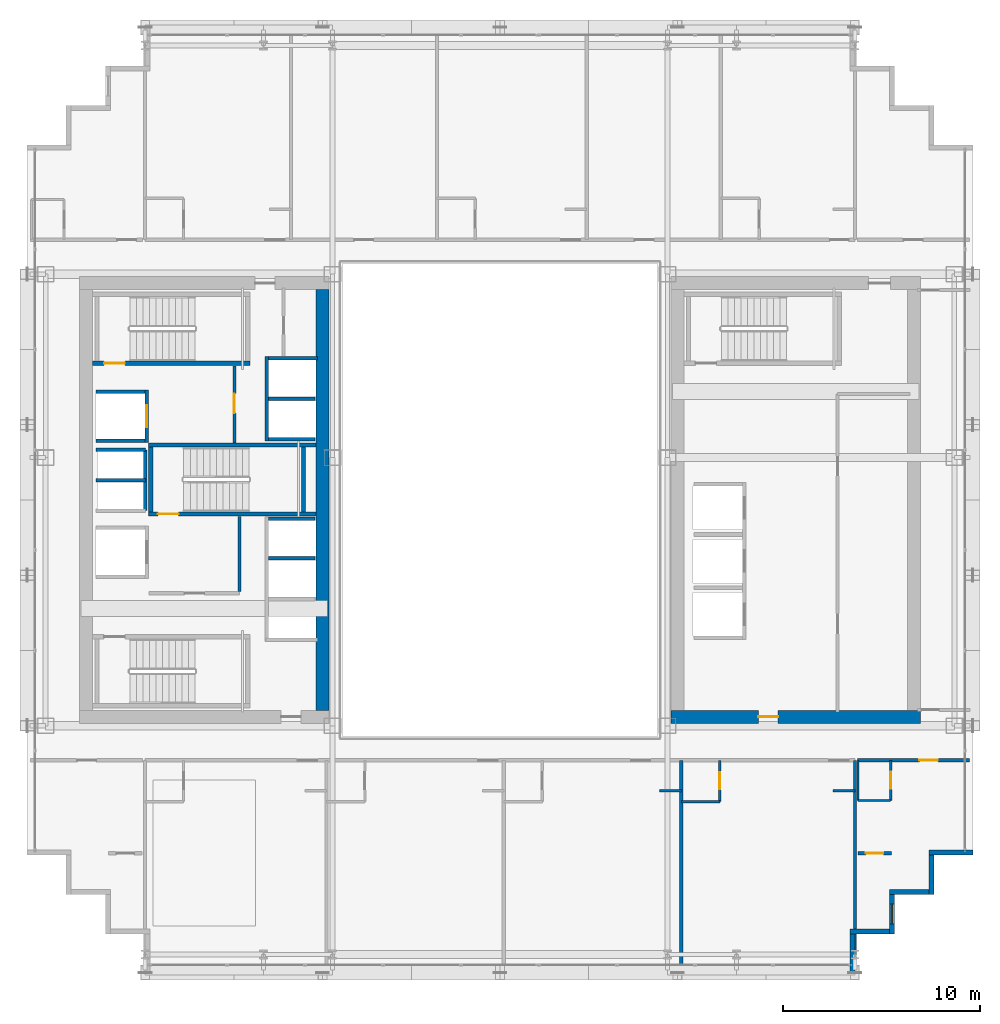
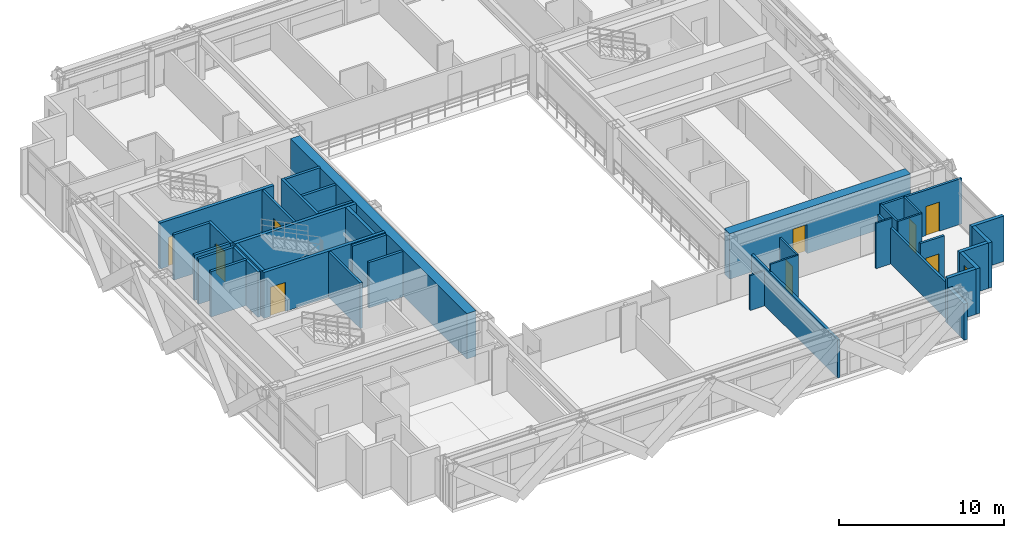
# One storey, part 28 of 34: 38 walls, 9 doors, 1 window, 10 openings.
"""IFC4 building model written with IfcOpenShell, lengths in metres."""

import ifcopenshell
import ifcopenshell.guid

model = None  # the IFC model being written
_history = None  # IfcOwnerHistory: only IFC2X3 demands one
_inside = {}  # id of a spatial element -> (the spatial element, [elements in it])
_under = {}  # id of a project, library or spatial element -> (it, [spatial elements below it])
_declared = {}  # id of a project -> (the project, [libraries it declares])
_typed = {}  # id of a type object -> (the type object, [elements of that type])
_made_of = {}  # id of a material, layer set ... -> (it, [elements and type objects made of it])


def new_model(schema):
    """Start an empty IFC model of exactly this schema.

    Asked for "IFC4X3", IfcOpenShell would pick the latest addendum, in which some entities
    have other attributes; the version numbers below select the first issue.
    IFC2X3 requires an IfcOwnerHistory on every rooted entity: one is made here for all.
    """
    global model, _history
    if schema == "IFC4X3":
        model = ifcopenshell.file(schema_version=(4, 3, 0, 0))
    else:
        model = ifcopenshell.file(schema=schema)
    _inside.clear()
    _under.clear()
    _declared.clear()
    _typed.clear()
    _made_of.clear()
    _history = None
    if model.schema == "IFC2X3":
        org = make("IfcOrganization", Name="unknown")
        user = make(
            "IfcPersonAndOrganization",
            ThePerson=make("IfcPerson", FamilyName="unknown"),
            TheOrganization=org,
        )
        app = make(
            "IfcApplication",
            ApplicationDeveloper=org,
            Version="unknown",
            ApplicationFullName="unknown",
            ApplicationIdentifier="unknown",
        )
        _history = make(
            "IfcOwnerHistory",
            OwningUser=user,
            OwningApplication=app,
            ChangeAction="ADDED",
            CreationDate=0,
        )
    return model


def make(cls, **values):
    """One entity of the class cls with the attributes given. An attribute that is None is left unset."""
    return model.create_entity(
        cls, **{name: value for name, value in values.items() if value is not None}
    )


def rooted(cls, **values):
    """An entity with a GlobalId (a new one), such as an element, a storey or a relation."""
    return make(cls, GlobalId=ifcopenshell.guid.new(), OwnerHistory=_history, **values)


def si_unit(unit_type, name, prefix=None):
    """IfcSIUnit, for example si_unit("LENGTHUNIT", "METRE", prefix="MILLI")."""
    return make("IfcSIUnit", UnitType=unit_type, Prefix=prefix, Name=name)


def assignment(units):
    """IfcUnitAssignment: the units of a project."""
    return None if units is None else make("IfcUnitAssignment", Units=units)


def point(xyz):
    """IfcCartesianPoint."""
    return None if xyz is None else make("IfcCartesianPoint", Coordinates=xyz)


def direction(xyz):
    """IfcDirection."""
    return None if xyz is None else make("IfcDirection", DirectionRatios=xyz)


def frame(location, z_axis=None, x_axis=None):
    """IfcAxis2Placement3D, a coordinate frame: its origin and axes. An axis left out is left unset."""
    return make(
        "IfcAxis2Placement3D",
        Location=point(location),
        Axis=direction(z_axis),
        RefDirection=direction(x_axis),
    )


def frame_2d(location, x_axis=None):
    """IfcAxis2Placement2D, a coordinate frame in the plane: its origin and x axis."""
    return make(
        "IfcAxis2Placement2D", Location=point(location), RefDirection=direction(x_axis)
    )


def origin():
    """The frame at (0, 0, 0) with its axes left unset."""
    return frame((0.0, 0.0, 0.0))


def place(relative_to, where):
    """IfcLocalPlacement: puts the frame where relative to a parent placement (None: the world)."""
    return make(
        "IfcLocalPlacement", PlacementRelTo=relative_to, RelativePlacement=where
    )


def context(
    kind, dimensions, precision=None, world=None, true_north=None, identifier=None
):
    """IfcGeometricRepresentationContext, for example the 3D "Model" context."""
    return make(
        "IfcGeometricRepresentationContext",
        ContextIdentifier=identifier,
        ContextType=kind,
        CoordinateSpaceDimension=dimensions,
        Precision=precision,
        WorldCoordinateSystem=world,
        TrueNorth=true_north,
    )


def subcontext(parent, identifier, kind, view, scale=None):
    """IfcGeometricRepresentationSubContext, for example "Body" below "Model"."""
    return make(
        "IfcGeometricRepresentationSubContext",
        ContextIdentifier=identifier,
        ContextType=kind,
        ParentContext=parent,
        TargetScale=scale,
        TargetView=view,
    )


def project(units=None, contexts=None):
    """IfcProject with its units and contexts."""
    return rooted(
        "IfcProject",
        Name="project",
        RepresentationContexts=contexts,
        UnitsInContext=assignment(units),
    )


def spatial(cls, under=None, at=None, **own):
    """A site, building, storey or space (cls), placed at a placement, below another one or the project."""
    s = rooted(cls, ObjectPlacement=at, **own)
    if under is not None:
        _under.setdefault(under.id(), (under, []))[1].append(s)
    return s


def profile(cls, at=None, kind="AREA", **sizes):
    """A parametric profile (cls). Its sizes go by their IFC names, for example OverallWidth=200.0."""
    return make(cls, ProfileType=kind, Position=at, **sizes)


def rectangle(**sizes):
    """IfcRectangleProfileDef."""
    return profile("IfcRectangleProfileDef", **sizes)


def extrude(swept, where, along, depth):
    """IfcExtrudedAreaSolid: the profile swept, set in the frame where, extruded along a direction by depth."""
    return make(
        "IfcExtrudedAreaSolid",
        SweptArea=swept,
        Position=where,
        ExtrudedDirection=direction(along),
        Depth=depth,
    )


def shape(context_of_items, identifier, shape_type, items):
    """IfcShapeRepresentation: the items that make up one representation, for example the "Body"."""
    return make(
        "IfcShapeRepresentation",
        ContextOfItems=context_of_items,
        RepresentationIdentifier=identifier,
        RepresentationType=shape_type,
        Items=items,
    )


def source(mapping_origin, context_of_items, identifier, shape_type, items):
    """IfcRepresentationMap: a shape defined once, which mapped items show again and again."""
    return make(
        "IfcRepresentationMap",
        MappingOrigin=mapping_origin,
        MappedRepresentation=shape(context_of_items, identifier, shape_type, items),
    )


def transform(
    local_origin,
    x_axis=None,
    y_axis=None,
    z_axis=None,
    scale=None,
    scale2=None,
    scale3=None,
    uniform=True,
):
    """IfcCartesianTransformationOperator3D, or its non-uniform kind. x_axis, y_axis, z_axis: its Axis1, 2, 3."""
    if uniform:
        return make(
            "IfcCartesianTransformationOperator3D",
            Axis1=direction(x_axis),
            Axis2=direction(y_axis),
            LocalOrigin=point(local_origin),
            Scale=scale,
            Axis3=direction(z_axis),
        )
    return make(
        "IfcCartesianTransformationOperator3DnonUniform",
        Axis1=direction(x_axis),
        Axis2=direction(y_axis),
        LocalOrigin=point(local_origin),
        Scale=scale,
        Axis3=direction(z_axis),
        Scale2=scale2,
        Scale3=scale3,
    )


def mapped(mapping_source, mapping_target):
    """IfcMappedItem: shows the shape of a source again, moved by a transform."""
    return make(
        "IfcMappedItem", MappingSource=mapping_source, MappingTarget=mapping_target
    )


def material(Name=None, Category=None):
    """IfcMaterial."""
    return make("IfcMaterial", Name=Name, Category=Category)


def layer(
    of_material, thickness, ventilated=None, Name=None, Category=None, Priority=None
):
    """IfcMaterialLayer: one layer of a wall or slab, of a material (None: an air gap)."""
    return make(
        "IfcMaterialLayer",
        Material=of_material,
        LayerThickness=thickness,
        IsVentilated=ventilated,
        Name=Name,
        Category=Category,
        Priority=Priority,
    )


def layer_set(layers, Name=None):
    """IfcMaterialLayerSet."""
    return make("IfcMaterialLayerSet", MaterialLayers=layers, LayerSetName=Name)


def made_of(thing, what):
    """Note that an element or type object is made of a material, layer set ...; save() writes the relation."""
    if what is not None:
        _made_of.setdefault(what.id(), (what, []))[1].append(thing)
    return thing


def type_object(cls, material=None, **own):
    """A type object (cls), such as IfcWallType, which elements share."""
    return made_of(rooted(cls, **own), material)


def element(
    cls,
    number,
    at=None,
    inside=None,
    cuts=None,
    type_object=None,
    material=None,
    context=None,
    identifier="Body",
    shape_type=None,
    held_by="IfcProductDefinitionShape",
    body=None,
    shapes=None,
    **own,
):
    """One element of the class cls, such as IfcWall. Its Tag is "e" and its number.

    at: its placement. inside: the storey or other place that contains it. cuts: it is an
    opening in that element (IfcRelVoidsElement). A single representation is given by context,
    identifier, shape_type and body (its items); several are given by shapes. held_by: the class
    of the entity that holds the representations. save() writes the other relations.
    """
    e = rooted(cls, Tag="e%d" % number, ObjectPlacement=at, **own)
    if body is not None:
        shapes = [shape(context, identifier, shape_type, body)]
    if shapes is not None:
        e.Representation = make(held_by, Representations=shapes)
    if inside is not None:
        _inside.setdefault(inside.id(), (inside, []))[1].append(e)
    if cuts is not None:
        rooted(
            "IfcRelVoidsElement", RelatingBuildingElement=cuts, RelatedOpeningElement=e
        )
    if type_object is not None:
        _typed.setdefault(type_object.id(), (type_object, []))[1].append(e)
    return made_of(e, material)


def fill(opening, filler):
    """IfcRelFillsElement: the door or window that sits in an opening."""
    return rooted(
        "IfcRelFillsElement",
        RelatingOpeningElement=opening,
        RelatedBuildingElement=filler,
    )


def aggregate(whole, parts):
    """IfcRelAggregates: a whole, such as a stair, and the parts it consists of."""
    return rooted("IfcRelAggregates", RelatingObject=whole, RelatedObjects=parts)


def save(model, path):
    """Write the relations noted so far, then the file.

    IfcRelAggregates (storeys below a building ...), IfcRelContainedInSpatialStructure (elements
    in a storey), IfcRelDefinesByType, IfcRelAssociatesMaterial and IfcRelDeclares: one each for
    every whole, place, type object, material and project.
    """
    for whole, parts in _under.values():
        aggregate(whole, parts)
    for where, things in _inside.values():
        rooted(
            "IfcRelContainedInSpatialStructure",
            RelatedElements=things,
            RelatingStructure=where,
        )
    for kind, things in _typed.values():
        rooted("IfcRelDefinesByType", RelatedObjects=things, RelatingType=kind)
    for what, things in _made_of.values():
        rooted("IfcRelAssociatesMaterial", RelatedObjects=things, RelatingMaterial=what)
    for by, libraries in _declared.values():
        rooted("IfcRelDeclares", RelatingContext=by, RelatedDefinitions=libraries)
    model.write(path)


model = new_model("IFC4")

# Units and contexts
model_context = context("Model", 3, precision=1e-05, world=origin(), true_north=direction((0.0, 1.0)))
body_context = subcontext(model_context, "Body", "Model", "MODEL_VIEW")
ifc_project = project(units=[si_unit("LENGTHUNIT", "METRE"), si_unit("AREAUNIT", "SQUARE_METRE"), si_unit("VOLUMEUNIT", "CUBIC_METRE"), si_unit("PLANEANGLEUNIT", "RADIAN"), si_unit("MASSUNIT", "GRAM", prefix="KILO")], contexts=[model_context])

# Site, building, storey
site_placement = place(None, origin())
site = spatial("IfcSite", under=ifc_project, at=site_placement, CompositionType="ELEMENT")
building_placement = place(site_placement, origin())
building = spatial("IfcBuilding", under=site, at=building_placement, Name="Ocotamira Hotel", CompositionType="ELEMENT")
storey_placement = place(building_placement, frame((0.0, 0.0, 108.0)))
storey = spatial("IfcBuildingStorey", under=building, at=storey_placement, Name="L26", CompositionType="ELEMENT", Elevation=108.0)

# Wall
ifc_material_1 = material(Name="Concrete C60/75", Category="concrete")
ifc_layer_1 = layer(ifc_material_1, 0.64990234375)
ifc_layer_set_1 = layer_set([ifc_layer_1], Name="Concrete C60/75")
wall_type_1 = type_object("IfcWallType", Name="WL-CORE-650", PredefinedType="SHEAR", material=ifc_layer_set_1)
wall_1_placement = place(storey_placement, frame((23.0, 15.324951171875, 0.0), z_axis=(0.0, 0.0, 1.0), x_axis=(0.0, 1.0, 0.0)))
element("IfcWall", 1, at=wall_1_placement, inside=storey, type_object=wall_type_1, Name="L26 Shear Core Wall WCORE-E", PredefinedType="SHEAR", context=body_context, shape_type="SweptSolid", body=[
    extrude(rectangle(XDim=21.35009765625, YDim=0.64990234375, at=frame_2d((10.675048828125, 0.0))), origin(), (0.0, 0.0, 1.0), 3.360107421875),
])

# Wall, opening, door
wall_2_placement = place(storey_placement, frame((40.675048828125, 15.0, 0.0), z_axis=(0.0, 0.0, 1.0), x_axis=(1.0, 0.0, 0.0)))
wall_2 = element("IfcWall", 2, at=wall_2_placement, inside=storey, type_object=wall_type_1, Name="L26 Shear Core Wall ECORE-S", PredefinedType="SHEAR", context=body_context, shape_type="SweptSolid", body=[
    extrude(rectangle(XDim=12.64990234375, YDim=0.64990234375, at=frame_2d((6.324951171875, 0.0))), origin(), (0.0, 0.0, 1.0), 3.360107421875),
])
opening_1_placement = place(wall_2_placement, frame((4.425048828125, 0.0, 0.0)))
opening_1 = element("IfcOpeningElement", 3, at=opening_1_placement, cuts=wall_2, Name="Opening D-FR2", PredefinedType="OPENING", context=body_context, shape_type="SweptSolid", body=[
    extrude(rectangle(XDim=1.0, YDim=2.14990234375, at=frame_2d((0.5, 1.074951171875))), frame((0.0, 0.3349609375, 0.0), z_axis=(0.0, -1.0, 0.0), x_axis=(1.0, 0.0, 0.0)), (0.0, 0.0, 1.0), 0.669921875),
])
ifc_material_2 = material(Name="Fire-rated acoustic timber-veneer door", Category="wood")
door_type_1 = type_object("IfcDoorType", Name="DR-FIRE-1000", OperationType="NOTDEFINED", PredefinedType="DOOR", material=ifc_material_2)
shared_shape_1 = source(origin(), body_context, "Body", "SweptSolid", [
    extrude(rectangle(XDim=1.0, YDim=2.14990234375, at=frame_2d((0.5, 1.074951171875))), frame((0.0, 0.02490234375, 0.0), z_axis=(0.0, -1.0, 0.0), x_axis=(1.0, 0.0, 0.0)), (0.0, 0.0, 1.0), 0.050048828125),
])
door_1_placement = place(opening_1_placement, origin())
door_1 = element("IfcDoor", 4, at=door_1_placement, inside=storey, type_object=door_type_1, Name="L26 Door ID-L26-ELOB-S-D [ID-L26-ELOB-S-D]", OperationType="SINGLE_SWING_RIGHT", OverallHeight=2.14990234375, OverallWidth=1.0, PredefinedType="DOOR", context=body_context, shape_type="MappedRepresentation", body=[
    mapped(shared_shape_1, transform((0.0, 0.0, 0.0), scale=1.0)),
])
fill(opening_1, door_1)

# Walls
ifc_material_3 = material(Name="Precast concrete C45/55", Category="concrete")
ifc_layer_2 = layer(ifc_material_3, 0.25)
ifc_layer_set_2 = layer_set([ifc_layer_2], Name="Precast concrete C45/55")
wall_type_2 = type_object("IfcWallType", Name="WL-EXT-SER-250", PredefinedType="SOLIDWALL", material=ifc_layer_set_2)
wall_3_placement = place(storey_placement, frame((49.875, 2.0, 0.0), z_axis=(0.0, 0.0, 1.0), x_axis=(0.0, 1.0, 0.0)))
element("IfcWall", 5, at=wall_3_placement, inside=storey, type_object=wall_type_2, Name="L26 Serrated Corner Wall 01", PredefinedType="SOLIDWALL", context=body_context, shape_type="SweptSolid", body=[
    extrude(rectangle(XDim=2.0, YDim=0.25, at=frame_2d((1.0, 0.0))), origin(), (0.0, 0.0, 1.0), 2.6669921875),
])
wall_4_placement = place(storey_placement, frame((49.75, 4.125, 0.0), z_axis=(0.0, 0.0, 1.0), x_axis=(1.0, 0.0, 0.0)))
element("IfcWall", 6, at=wall_4_placement, inside=storey, type_object=wall_type_2, Name="L26 Serrated Corner Wall 02", PredefinedType="SOLIDWALL", context=body_context, shape_type="SweptSolid", body=[
    extrude(rectangle(XDim=2.0, YDim=0.25, at=frame_2d((1.0, 0.0))), origin(), (0.0, 0.0, 1.0), 3.360107421875),
])

# Wall, opening, window
wall_5_placement = place(storey_placement, frame((51.875, 4.0, 0.0), z_axis=(0.0, 0.0, 1.0), x_axis=(0.0, 1.0, 0.0)))
wall_5 = element("IfcWall", 7, at=wall_5_placement, inside=storey, type_object=wall_type_2, Name="L26 Serrated Corner Wall 03", PredefinedType="SOLIDWALL", context=body_context, shape_type="SweptSolid", body=[
    extrude(rectangle(XDim=2.0, YDim=0.25, at=frame_2d((1.0, 0.0))), origin(), (0.0, 0.0, 1.0), 3.360107421875),
])
opening_2_placement = place(wall_5_placement, frame((0.5, 0.0, 0.85009765625)))
opening_2 = element("IfcOpeningElement", 8, at=opening_2_placement, cuts=wall_5, Name="Opening WN-2", PredefinedType="OPENING", context=body_context, shape_type="SweptSolid", body=[
    extrude(rectangle(XDim=1.0, YDim=1.89990234375, at=frame_2d((0.5, 0.949951171875))), frame((0.0, 0.135009765625, 0.0), z_axis=(0.0, -1.0, 0.0), x_axis=(1.0, 0.0, 0.0)), (0.0, 0.0, 1.0), 0.27001953125),
])
ifc_material_4 = material(Name="Double-silver low-E solar glass", Category="glass")
window_type = type_object("IfcWindowType", Name="WIN-SER-1100", PartitioningType="SINGLE_PANEL", PredefinedType="WINDOW", material=ifc_material_4)
shared_shape_2 = source(origin(), body_context, "Body", "SweptSolid", [
    extrude(rectangle(XDim=1.0, YDim=1.89990234375, at=frame_2d((0.5, 0.949951171875))), frame((0.0, 0.030029296875, 0.0), z_axis=(0.0, -1.0, 0.0), x_axis=(1.0, 0.0, 0.0)), (0.0, 0.0, 1.0), 0.06005859375),
])
window_placement = place(opening_2_placement, origin())
window = element("IfcWindow", 9, at=window_placement, inside=storey, type_object=window_type, Name="L26 Serrated Corner Window 03", OverallHeight=1.89990234375, OverallWidth=1.0, PartitioningType="SINGLE_PANEL", PredefinedType="WINDOW", context=body_context, shape_type="MappedRepresentation", body=[
    mapped(shared_shape_2, transform((0.0, 0.0, 0.0), scale=1.0)),
])
fill(opening_2, window)

# Walls
for number, where, z_axis, x_axis, name in (
    (10, (51.75, 6.125, 0.0), (0.0, 0.0, 1.0), (1.0, 0.0, 0.0), "L26 Serrated Corner Wall 04"),
    (11, (53.875, 6.0, 0.0), (0.0, 0.0, 1.0), (0.0, 1.0, 0.0), "L26 Serrated Corner Wall 05"),
):
    element("IfcWall", number, at=place(storey_placement, frame(where, z_axis=z_axis, x_axis=x_axis)), inside=storey, type_object=wall_type_2, Name=name, PredefinedType="SOLIDWALL", context=body_context, shape_type="SweptSolid", body=[
        extrude(rectangle(XDim=2.0, YDim=0.25, at=frame_2d((1.0, 0.0))), origin(), (0.0, 0.0, 1.0), 3.360107421875),
    ])
wall_6_placement = place(storey_placement, frame((53.75, 8.125, 0.0), z_axis=(0.0, 0.0, 1.0), x_axis=(1.0, 0.0, 0.0)))
element("IfcWall", 12, at=wall_6_placement, inside=storey, type_object=wall_type_2, Name="L26 Serrated Corner Wall 06", PredefinedType="SOLIDWALL", context=body_context, shape_type="SweptSolid", body=[
    extrude(rectangle(XDim=2.25, YDim=0.25, at=frame_2d((1.125, 0.0))), origin(), (0.0, 0.0, 1.0), 3.360107421875),
])
ifc_material_5 = material(Name="Acoustic double-layer fire gypsum board partition", Category="gypsum")
ifc_layer_3 = layer(ifc_material_5, 0.159912109375)
ifc_layer_set_3 = layer_set([ifc_layer_3], Name="Acoustic double-layer fire gypsum board partition")
wall_type_3 = type_object("IfcWallType", Name="WL-FIRE-160", PredefinedType="PARTITIONING", material=ifc_layer_set_3)
wall_7_placement = place(storey_placement, frame((18.780029296875, 21.35009765625, 0.0), z_axis=(0.0, 0.0, 1.0), x_axis=(0.0, 1.0, 0.0)))
element("IfcWall", 13, at=wall_7_placement, inside=storey, type_object=wall_type_3, Name="L26 Interior Wall PW-L26-FSAE1-E", PredefinedType="PARTITIONING", context=body_context, shape_type="SweptSolid", body=[
    extrude(rectangle(XDim=3.809814453125, YDim=0.159912109375, at=frame_2d((1.90478515625, 0.0))), origin(), (0.0, 0.0, 1.0), 3.360107421875),
])

# Wall, opening, door
wall_8_placement = place(storey_placement, frame((18.530029296875, 28.89990234375, 0.0), z_axis=(0.0, 0.0, 1.0), x_axis=(0.0, 1.0, 0.0)))
wall_8 = element("IfcWall", 14, at=wall_8_placement, inside=storey, type_object=wall_type_3, Name="L26 Interior Wall PW-L26-FSAE2-E", PredefinedType="PARTITIONING", context=body_context, shape_type="SweptSolid", body=[
    extrude(rectangle(XDim=3.900146484375, YDim=0.159912109375, at=frame_2d((1.9501953125, 0.0))), origin(), (0.0, 0.0, 1.0), 3.360107421875),
])
opening_3_placement = place(wall_8_placement, frame((1.5, 0.0, 0.0)))
opening_3 = element("IfcOpeningElement", 15, at=opening_3_placement, cuts=wall_8, Name="Opening D-FR2", PredefinedType="OPENING", context=body_context, shape_type="SweptSolid", body=[
    extrude(rectangle(XDim=1.0, YDim=2.14990234375, at=frame_2d((0.5, 1.074951171875))), frame((0.0, 0.08984375, 0.0), z_axis=(0.0, -1.0, 0.0), x_axis=(1.0, 0.0, 0.0)), (0.0, 0.0, 1.0), 0.179931640625),
])
door_2_placement = place(opening_3_placement, origin())
door_2 = element("IfcDoor", 16, at=door_2_placement, inside=storey, type_object=door_type_1, Name="L26 Door ID-L26-FSAE2-D [ID-L26-FSAE2-D]", OperationType="SINGLE_SWING_RIGHT", OverallHeight=2.14990234375, OverallWidth=1.0, PredefinedType="DOOR", context=body_context, shape_type="MappedRepresentation", body=[
    mapped(shared_shape_1, transform((0.0, 0.0, 0.0), scale=1.0)),
])
fill(opening_3, door_2)

wall_9_placement = place(storey_placement, frame((50.1201171875, 12.800048828125, 0.0), z_axis=(0.0, 0.0, 1.0), x_axis=(1.0, 0.0, 0.0)))
wall_9 = element("IfcWall", 17, at=wall_9_placement, inside=storey, type_object=wall_type_3, Name="L26 Interior Wall PW-L26-Z2B-CSE-CW", PredefinedType="PARTITIONING", context=body_context, shape_type="SweptSolid", body=[
    extrude(rectangle(XDim=5.679931640625, YDim=0.159912109375, at=frame_2d((2.83984375, 0.0))), origin(), (0.0, 0.0, 1.0), 3.360107421875),
])
opening_4_placement = place(wall_9_placement, frame((3.14990234375, 0.0, 0.0)))
opening_4 = element("IfcOpeningElement", 18, at=opening_4_placement, cuts=wall_9, Name="Opening D-GR1", PredefinedType="OPENING", context=body_context, shape_type="SweptSolid", body=[
    extrude(rectangle(XDim=0.93994140625, YDim=2.14990234375, at=frame_2d((0.469970703125, 1.074951171875))), frame((0.0, 0.08984375, 0.0), z_axis=(0.0, -1.0, 0.0), x_axis=(1.0, 0.0, 0.0)), (0.0, 0.0, 1.0), 0.179931640625),
])
ifc_material_6 = material(Name="Solid-core walnut suite entrance fire door", Category="wood")
door_type_2 = type_object("IfcDoorType", Name="DR-GUEST-940", OperationType="NOTDEFINED", PredefinedType="DOOR", material=ifc_material_6)
shared_shape_3 = source(origin(), body_context, "Body", "SweptSolid", [
    extrude(rectangle(XDim=0.93994140625, YDim=2.14990234375, at=frame_2d((0.469970703125, 1.074951171875))), frame((0.0, 0.02490234375, 0.0), z_axis=(0.0, -1.0, 0.0), x_axis=(1.0, 0.0, 0.0)), (0.0, 0.0, 1.0), 0.050048828125),
])
door_3_placement = place(opening_4_placement, origin())
door_3 = element("IfcDoor", 19, at=door_3_placement, inside=storey, type_object=door_type_2, Name="L26 Door ID-L26-Z2B-CSE-CD [ID-L26-Z2B-CSE-CD]", OperationType="SINGLE_SWING_RIGHT", OverallHeight=2.14990234375, OverallWidth=0.93994140625, PredefinedType="DOOR", context=body_context, shape_type="MappedRepresentation", body=[
    mapped(shared_shape_3, transform((0.0, 0.0, 0.0), scale=1.0)),
])
fill(opening_4, door_3)

wall_10_placement = place(storey_placement, frame((50.14990234375, 8.080078125, 0.0), z_axis=(0.0, 0.0, 1.0), x_axis=(1.0, 0.0, 0.0)))
wall_10 = element("IfcWall", 20, at=wall_10_placement, inside=storey, type_object=wall_type_3, Name="L26 Interior Wall PW-L26-Z2B-CSE2-CW", PredefinedType="PARTITIONING", context=body_context, shape_type="SweptSolid", body=[
    extrude(rectangle(XDim=1.7001953125, YDim=0.159912109375, at=frame_2d((0.85009765625, 0.0))), origin(), (0.0, 0.0, 1.0), 3.360107421875),
])
opening_5_placement = place(wall_10_placement, frame((0.409912109375, 0.0, 0.0)))
opening_5 = element("IfcOpeningElement", 21, at=opening_5_placement, cuts=wall_10, Name="Opening D-SV2", PredefinedType="OPENING", context=body_context, shape_type="SweptSolid", body=[
    extrude(rectangle(XDim=0.8798828125, YDim=2.14990234375, at=frame_2d((0.43994140625, 1.074951171875))), frame((0.0, 0.08984375, 0.0), z_axis=(0.0, -1.0, 0.0), x_axis=(1.0, 0.0, 0.0)), (0.0, 0.0, 1.0), 0.179931640625),
])
ifc_material_7 = material(Name="Fire-rated painted steel service door", Category="steel")
door_type_3 = type_object("IfcDoorType", Name="DR-SERV-880", OperationType="NOTDEFINED", PredefinedType="DOOR", material=ifc_material_7)
shared_shape_4 = source(origin(), body_context, "Body", "SweptSolid", [
    extrude(rectangle(XDim=0.8798828125, YDim=2.14990234375, at=frame_2d((0.43994140625, 1.074951171875))), frame((0.0, 0.02490234375, 0.0), z_axis=(0.0, -1.0, 0.0), x_axis=(1.0, 0.0, 0.0)), (0.0, 0.0, 1.0), 0.050048828125),
])
door_4_placement = place(opening_5_placement, origin())
door_4 = element("IfcDoor", 22, at=door_4_placement, inside=storey, type_object=door_type_3, Name="L26 Door ID-L26-Z2B-CSE2-CD [ID-L26-Z2B-CSE2-CD]", OperationType="SINGLE_SWING_LEFT", OverallHeight=2.14990234375, OverallWidth=0.8798828125, PredefinedType="DOOR", context=body_context, shape_type="MappedRepresentation", body=[
    mapped(shared_shape_4, transform((0.0, 0.0, 0.0), scale=1.0)),
])
fill(opening_5, door_4)

ifc_material_8 = material(Name="Moisture-resistant en-suite tile and gypsum partition", Category="gypsum")
ifc_layer_4 = layer(ifc_material_8, 0.1201171875)
ifc_layer_set_4 = layer_set([ifc_layer_4], Name="Moisture-resistant en-suite tile and gypsum partition")
wall_type_4 = type_object("IfcWallType", Name="WL-PART-120", PredefinedType="PARTITIONING", material=ifc_layer_set_4)
wall_11_placement = place(storey_placement, frame((51.81005859375, 10.760009765625, 0.0), z_axis=(0.0, 0.0, 1.0), x_axis=(0.0, 1.0, 0.0)))
wall_11 = element("IfcWall", 23, at=wall_11_placement, inside=storey, type_object=wall_type_4, Name="L26 Interior Wall PW-L26-Z2B-CSE-BE", PredefinedType="PARTITIONING", context=body_context, shape_type="SweptSolid", body=[
    extrude(rectangle(XDim=2.0400390625, YDim=0.1201171875, at=frame_2d((1.02001953125, 0.0))), origin(), (0.0, 0.0, 1.0), 3.360107421875),
])
opening_6_placement = place(wall_11_placement, frame((0.590087890625, 0.0, 0.0)))
opening_6 = element("IfcOpeningElement", 24, at=opening_6_placement, cuts=wall_11, Name="Opening D-BA1", PredefinedType="OPENING", context=body_context, shape_type="SweptSolid", body=[
    extrude(rectangle(XDim=0.860107421875, YDim=2.10009765625, at=frame_2d((0.43017578125, 1.050048828125))), frame((0.0, 0.070068359375, 0.0), z_axis=(0.0, -1.0, 0.0), x_axis=(1.0, 0.0, 0.0)), (0.0, 0.0, 1.0), 0.14013671875),
])
ifc_material_9 = material(Name="Moisture-sealed en-suite timber door", Category="wood")
door_type_4 = type_object("IfcDoorType", Name="DR-BATH-860", OperationType="NOTDEFINED", PredefinedType="DOOR", material=ifc_material_9)
shared_shape_5 = source(origin(), body_context, "Body", "SweptSolid", [
    extrude(rectangle(XDim=0.860107421875, YDim=2.10009765625, at=frame_2d((0.43017578125, 1.050048828125))), frame((0.0, 0.02490234375, 0.0), z_axis=(0.0, -1.0, 0.0), x_axis=(1.0, 0.0, 0.0)), (0.0, 0.0, 1.0), 0.050048828125),
])
door_5_placement = place(opening_6_placement, origin())
door_5 = element("IfcDoor", 25, at=door_5_placement, inside=storey, type_object=door_type_4, Name="L26 Door ID-L26-Z2B-CSE-BD [ID-L26-Z2B-CSE-BD]", OperationType="SINGLE_SWING_LEFT", OverallHeight=2.10009765625, OverallWidth=0.860107421875, PredefinedType="DOOR", context=body_context, shape_type="MappedRepresentation", body=[
    mapped(shared_shape_5, transform((0.0, 0.0, 0.0), scale=1.0)),
])
fill(opening_6, door_5)

# Walls
wall_12_placement = place(storey_placement, frame((50.159912109375, 10.760009765625, 0.0), z_axis=(0.0, 0.0, 1.0), x_axis=(0.0, 1.0, 0.0)))
element("IfcWall", 26, at=wall_12_placement, inside=storey, type_object=wall_type_4, Name="L26 Interior Wall PW-L26-Z2B-CSE-BW", PredefinedType="PARTITIONING", context=body_context, shape_type="SweptSolid", body=[
    extrude(rectangle(XDim=2.0400390625, YDim=0.1201171875, at=frame_2d((1.02001953125, 0.0))), origin(), (0.0, 0.0, 1.0), 3.360107421875),
])
wall_13_placement = place(storey_placement, frame((50.159912109375, 10.760009765625, 0.0), z_axis=(0.0, 0.0, 1.0), x_axis=(1.0, 0.0, 0.0)))
element("IfcWall", 27, at=wall_13_placement, inside=storey, type_object=wall_type_4, Name="L26 Interior Wall PW-L26-Z2B-CSE-BH", PredefinedType="PARTITIONING", context=body_context, shape_type="SweptSolid", body=[
    extrude(rectangle(XDim=1.650146484375, YDim=0.1201171875, at=frame_2d((0.8251953125, 0.0))), origin(), (0.0, 0.0, 1.0), 3.360107421875),
])
wall_14_placement = place(storey_placement, frame((40.10009765625, 11.25, 0.0), z_axis=(0.0, 0.0, 1.0), x_axis=(1.0, 0.0, 0.0)))
element("IfcWall", 28, at=wall_14_placement, inside=storey, type_object=wall_type_4, Name="L26 Interior Wall PW-L26-Z2BS-DRN3", PredefinedType="PARTITIONING", context=body_context, shape_type="SweptSolid", body=[
    extrude(rectangle(XDim=1.099853515625, YDim=0.1201171875, at=frame_2d((0.5498046875, 0.0))), origin(), (0.0, 0.0, 1.0), 2.5810546875),
])

# Wall, opening, door
wall_15_placement = place(storey_placement, frame((43.14990234375, 10.699951171875, 0.0), z_axis=(0.0, 0.0, 1.0), x_axis=(0.0, 1.0, 0.0)))
wall_15 = element("IfcWall", 29, at=wall_15_placement, inside=storey, type_object=wall_type_4, Name="L26 Interior Wall PW-L26-Z2BS-BAE4", PredefinedType="PARTITIONING", context=body_context, shape_type="SweptSolid", body=[
    extrude(rectangle(XDim=2.10009765625, YDim=0.1201171875, at=frame_2d((1.050048828125, 0.0))), origin(), (0.0, 0.0, 1.0), 3.360107421875),
])
opening_7_placement = place(wall_15_placement, frame((0.6201171875, 0.0, 0.0)))
opening_7 = element("IfcOpeningElement", 30, at=opening_7_placement, cuts=wall_15, Name="Opening D-BA1", PredefinedType="OPENING", context=body_context, shape_type="SweptSolid", body=[
    extrude(rectangle(XDim=0.860107421875, YDim=2.10009765625, at=frame_2d((0.43017578125, 1.050048828125))), frame((0.0, 0.070068359375, 0.0), z_axis=(0.0, -1.0, 0.0), x_axis=(1.0, 0.0, 0.0)), (0.0, 0.0, 1.0), 0.14013671875),
])
door_6_placement = place(opening_7_placement, origin())
door_6 = element("IfcDoor", 31, at=door_6_placement, inside=storey, type_object=door_type_4, Name="L26 Door ID-L26-Z2BS-BAD4 [ID-L26-Z2BS-BAD4]", OperationType="SINGLE_SWING_LEFT", OverallHeight=2.10009765625, OverallWidth=0.860107421875, PredefinedType="DOOR", context=body_context, shape_type="MappedRepresentation", body=[
    mapped(shared_shape_5, transform((0.0, 0.0, 0.0), scale=1.0)),
])
fill(opening_7, door_6)

# Walls
wall_16_placement = place(storey_placement, frame((41.199951171875, 10.699951171875, 0.0), z_axis=(0.0, 0.0, 1.0), x_axis=(1.0, 0.0, 0.0)))
element("IfcWall", 32, at=wall_16_placement, inside=storey, type_object=wall_type_4, Name="L26 Interior Wall PW-L26-Z2BS-BAS4", PredefinedType="PARTITIONING", context=body_context, shape_type="SweptSolid", body=[
    extrude(rectangle(XDim=1.949951171875, YDim=0.1201171875, at=frame_2d((0.97509765625, 0.0))), origin(), (0.0, 0.0, 1.0), 3.360107421875),
])
wall_17_placement = place(storey_placement, frame((48.89990234375, 11.25, 0.0), z_axis=(0.0, 0.0, 1.0), x_axis=(1.0, 0.0, 0.0)))
element("IfcWall", 33, at=wall_17_placement, inside=storey, type_object=wall_type_4, Name="L26 Interior Wall PW-L26-Z2BS-DRN4", PredefinedType="PARTITIONING", context=body_context, shape_type="SweptSolid", body=[
    extrude(rectangle(XDim=1.10009765625, YDim=0.1201171875, at=frame_2d((0.550048828125, 0.0))), origin(), (0.0, 0.0, 1.0), 3.360107421875),
])
ifc_material_10 = material(Name="Acoustic double-stud hospitality gypsum partition", Category="gypsum")
ifc_layer_5 = layer(ifc_material_10, 0.159912109375)
ifc_layer_set_5 = layer_set([ifc_layer_5], Name="Acoustic double-stud hospitality gypsum partition")
wall_type_5 = type_object("IfcWallType", Name="WL-PART-160", PredefinedType="PARTITIONING", material=ifc_layer_set_5)
wall_18_placement = place(storey_placement, frame((50.0, 2.360107421875, 0.0), z_axis=(0.0, 0.0, 1.0), x_axis=(0.0, 1.0, 0.0)))
element("IfcWall", 34, at=wall_18_placement, inside=storey, type_object=wall_type_5, Name="L26 Interior Wall PW-L26-Z2BS-PWEND", PredefinedType="PARTITIONING", context=body_context, shape_type="SweptSolid", body=[
    extrude(rectangle(XDim=10.43994140625, YDim=0.159912109375, at=frame_2d((5.219970703125, 0.0))), origin(), (0.0, 0.0, 1.0), 2.6669921875),
])
ifc_material_11 = material(Name="Double-stud suite party gypsum partition", Category="gypsum")
ifc_layer_6 = layer(ifc_material_11, 0.175048828125)
ifc_layer_set_6 = layer_set([ifc_layer_6], Name="Double-stud suite party gypsum partition")
wall_type_6 = type_object("IfcWallType", Name="WL-PART-175", PredefinedType="PARTITIONING", material=ifc_layer_set_6)
wall_19_placement = place(storey_placement, frame((41.199951171875, 2.360107421875, 0.0), z_axis=(0.0, 0.0, 1.0), x_axis=(0.0, 1.0, 0.0)))
element("IfcWall", 35, at=wall_19_placement, inside=storey, type_object=wall_type_6, Name="L26 Interior Wall PW-L26-Z2BS-PW3", PredefinedType="PARTITIONING", context=body_context, shape_type="SweptSolid", body=[
    extrude(rectangle(XDim=10.43994140625, YDim=0.175048828125, at=frame_2d((5.219970703125, 0.0))), origin(), (0.0, 0.0, 1.0), 2.822998046875),
])
ifc_material_12 = material(Name="Fire-rated gypsum shaftliner board assembly", Category="gypsum")
ifc_layer_7 = layer(ifc_material_12, 0.179931640625)
ifc_layer_set_7 = layer_set([ifc_layer_7], Name="Fire-rated gypsum shaftliner board assembly")
wall_type_7 = type_object("IfcWallType", Name="WL-SHAFT-180", PredefinedType="SOLIDWALL", material=ifc_layer_set_7)
for number, where, z_axis, x_axis, name in (
    (36, (20.25, 25.050048828125, 0.0), (0.0, 0.0, 1.0), (1.0, 0.0, 0.0), "L26 Interior Wall PW-L26-LFW-BANK-high-N"),
    (37, (20.25, 23.044921875, 0.0), (0.0, 0.0, 1.0), (1.0, 0.0, 0.0), "L26 Interior Wall PW-L26-LFW-DIV-LF-P8"),
):
    element("IfcWall", number, at=place(storey_placement, frame(where, z_axis=z_axis, x_axis=x_axis)), inside=storey, type_object=wall_type_7, Name=name, PredefinedType="SOLIDWALL", context=body_context, shape_type="SweptSolid", body=[
        extrude(rectangle(XDim=2.360107421875, YDim=0.179931640625, at=frame_2d((1.18017578125, 0.0))), origin(), (0.0, 0.0, 1.0), 3.360107421875),
    ])
wall_20_placement = place(storey_placement, frame((20.159912109375, 29.0, 0.0), z_axis=(0.0, 0.0, 1.0), x_axis=(0.0, 1.0, 0.0)))
element("IfcWall", 38, at=wall_20_placement, inside=storey, type_object=wall_type_7, Name="L26 Interior Wall PW-L26-LFW-BANK-obs-F", PredefinedType="SOLIDWALL", context=body_context, shape_type="SweptSolid", body=[
    extrude(rectangle(XDim=4.2900390625, YDim=0.179931640625, at=frame_2d((2.14501953125, 0.0))), origin(), (0.0, 0.0, 1.0), 3.360107421875),
])
wall_21_placement = place(storey_placement, frame((20.25, 29.090087890625, 0.0), z_axis=(0.0, 0.0, 1.0), x_axis=(1.0, 0.0, 0.0)))
element("IfcWall", 39, at=wall_21_placement, inside=storey, type_object=wall_type_7, Name="L26 Interior Wall PW-L26-LFW-BANK-obs-S", PredefinedType="SOLIDWALL", context=body_context, shape_type="SweptSolid", body=[
    extrude(rectangle(XDim=2.360107421875, YDim=0.179931640625, at=frame_2d((1.18017578125, 0.0))), origin(), (0.0, 0.0, 1.0), 3.360107421875),
])
wall_22_placement = place(storey_placement, frame((20.25, 33.199951171875, 0.0), z_axis=(0.0, 0.0, 1.0), x_axis=(1.0, 0.0, 0.0)))
element("IfcWall", 40, at=wall_22_placement, inside=storey, type_object=wall_type_7, Name="L26 Interior Wall PW-L26-LFW-BANK-obs-N", PredefinedType="SOLIDWALL", context=body_context, shape_type="SweptSolid", body=[
    extrude(rectangle(XDim=2.5, YDim=0.179931640625, at=frame_2d((1.25, 0.0))), origin(), (0.0, 0.0, 1.0), 3.360107421875),
])
wall_23_placement = place(storey_placement, frame((20.25, 31.14501953125, 0.0), z_axis=(0.0, 0.0, 1.0), x_axis=(1.0, 0.0, 0.0)))
element("IfcWall", 41, at=wall_23_placement, inside=storey, type_object=wall_type_7, Name="L26 Interior Wall PW-L26-LFW-DIV-LF-OBS1", PredefinedType="SOLIDWALL", context=body_context, shape_type="SweptSolid", body=[
    extrude(rectangle(XDim=2.360107421875, YDim=0.179931640625, at=frame_2d((1.18017578125, 0.0))), origin(), (0.0, 0.0, 1.0), 3.360107421875),
])
for number, where, z_axis, x_axis, name in (
    (42, (11.5, 29.010009765625, 0.0), (0.0, 0.0, 1.0), (1.0, 0.0, 0.0), "L26 Interior Wall PW-L26-LFW-LF-FSAE2-S"),
    (43, (11.5, 31.489990234375, 0.0), (0.0, 0.0, 1.0), (1.0, 0.0, 0.0), "L26 Interior Wall PW-L26-LFW-LF-FSAE2-N"),
):
    element("IfcWall", number, at=place(storey_placement, frame(where, z_axis=z_axis, x_axis=x_axis)), inside=storey, type_object=wall_type_7, Name=name, PredefinedType="SOLIDWALL", context=body_context, shape_type="SweptSolid", body=[
        extrude(rectangle(XDim=2.5, YDim=0.179931640625, at=frame_2d((1.25, 0.0))), origin(), (0.0, 0.0, 1.0), 3.360107421875),
    ])

# Wall, opening, door
wall_24_placement = place(storey_placement, frame((14.090087890625, 28.919921875, 0.0), z_axis=(0.0, 0.0, 1.0), x_axis=(0.0, 1.0, 0.0)))
wall_24 = element("IfcWall", 44, at=wall_24_placement, inside=storey, type_object=wall_type_7, Name="L26 Interior Wall PW-L26-LFW-LF-FSAE2-E", PredefinedType="SOLIDWALL", context=body_context, shape_type="SweptSolid", body=[
    extrude(rectangle(XDim=2.66015625, YDim=0.179931640625, at=frame_2d((1.330078125, 0.0))), origin(), (0.0, 0.0, 1.0), 3.360107421875),
])
opening_8_placement = place(wall_24_placement, frame((0.780029296875, 0.0, 0.0)))
opening_8 = element("IfcOpeningElement", 45, at=opening_8_placement, cuts=wall_24, Name="Opening LD-LF-FSAE2", PredefinedType="OPENING", context=body_context, shape_type="SweptSolid", body=[
    extrude(rectangle(XDim=1.10009765625, YDim=2.199951171875, at=frame_2d((0.550048828125, 1.10009765625))), frame((0.0, 0.10009765625, 0.0), z_axis=(0.0, -1.0, 0.0), x_axis=(1.0, 0.0, 0.0)), (0.0, 0.0, 1.0), 0.199951171875),
])
ifc_material_13 = material(Name="Brushed pale-metal stainless elevator landing door", Category="steel")
door_type_5 = type_object("IfcDoorType", Name="DR-LIFT-1100", OperationType="NOTDEFINED", PredefinedType="DOOR", material=ifc_material_13)
shared_shape_6 = source(origin(), body_context, "Body", "SweptSolid", [
    extrude(rectangle(XDim=1.10009765625, YDim=2.199951171875, at=frame_2d((0.550048828125, 1.10009765625))), frame((0.0, 0.02490234375, 0.0), z_axis=(0.0, -1.0, 0.0), x_axis=(1.0, 0.0, 0.0)), (0.0, 0.0, 1.0), 0.050048828125),
])
door_7_placement = place(opening_8_placement, origin())
door_7 = element("IfcDoor", 46, at=door_7_placement, inside=storey, type_object=door_type_5, Name="L26 Landing Door LD-LF-FSAE2 [ID-L26-LD-LF-FSAE2]", OperationType="DOUBLE_DOOR_SLIDING", OverallHeight=2.199951171875, OverallWidth=1.10009765625, PredefinedType="DOOR", context=body_context, shape_type="MappedRepresentation", body=[
    mapped(shared_shape_6, transform((0.0, 0.0, 0.0), scale=1.0)),
])
fill(opening_8, door_7)

# Walls
for number, where, z_axis, x_axis, name in (
    (47, (11.5, 27.0, 0.0), (0.0, 0.0, 1.0), (1.0, 0.0, 0.0), "L26 Interior Wall PW-L26-RSW-MID"),
    (48, (11.5, 28.5400390625, 0.0), (0.0, 0.0, 1.0), (1.0, 0.0, 0.0), "L26 Interior Wall PW-L26-RSW-N"),
):
    element("IfcWall", number, at=place(storey_placement, frame(where, z_axis=z_axis, x_axis=x_axis)), inside=storey, type_object=wall_type_7, Name=name, PredefinedType="SOLIDWALL", context=body_context, shape_type="SweptSolid", body=[
        extrude(rectangle(XDim=2.510009765625, YDim=0.179931640625, at=frame_2d((1.2548828125, 0.0))), origin(), (0.0, 0.0, 1.0), 3.360107421875),
    ])
wall_25_placement = place(storey_placement, frame((14.010009765625, 25.4599609375, 0.0), z_axis=(0.0, 0.0, 1.0), x_axis=(0.0, 1.0, 0.0)))
element("IfcWall", 49, at=wall_25_placement, inside=storey, type_object=wall_type_7, Name="L26 Interior Wall PW-L26-RSW-E", PredefinedType="SOLIDWALL", context=body_context, shape_type="SweptSolid", body=[
    extrude(rectangle(XDim=3.080078125, YDim=0.179931640625, at=frame_2d((1.5400390625, 0.0))), origin(), (0.0, 0.0, 1.0), 3.360107421875),
])

# Wall, opening, door
ifc_material_14 = material(Name="Concrete C50/60", Category="concrete")
ifc_layer_8 = layer(ifc_material_14, 0.219970703125)
ifc_layer_set_8 = layer_set([ifc_layer_8], Name="Concrete C50/60")
wall_type_8 = type_object("IfcWallType", Name="WL-STAIR-220", PredefinedType="SHEAR", material=ifc_layer_set_8)
wall_26_placement = place(storey_placement, frame((11.324951171875, 32.93994140625, 0.0), z_axis=(0.0, 0.0, 1.0), x_axis=(1.0, 0.0, 0.0)))
wall_26 = element("IfcWall", 50, at=wall_26_placement, inside=storey, type_object=wall_type_8, Name="L26 Stair Shaft Structural Wall ST-2-S", PredefinedType="SHEAR", context=body_context, shape_type="SweptSolid", body=[
    extrude(rectangle(XDim=7.985107421875, YDim=0.219970703125, at=frame_2d((3.99267578125, 0.0))), origin(), (0.0, 0.0, 1.0), 3.39990234375),
])
opening_9_placement = place(wall_26_placement, frame((0.594970703125, 0.0, 0.0)))
opening_9 = element("IfcOpeningElement", 51, at=opening_9_placement, cuts=wall_26, Name="Opening D-ST2", PredefinedType="OPENING", context=body_context, shape_type="SweptSolid", body=[
    extrude(rectangle(XDim=1.050048828125, YDim=2.14990234375, at=frame_2d((0.52490234375, 1.074951171875))), frame((0.0, 0.1201171875, 0.0), z_axis=(0.0, -1.0, 0.0), x_axis=(1.0, 0.0, 0.0)), (0.0, 0.0, 1.0), 0.239990234375),
])
ifc_material_15 = material(Name="Insulated painted hollow-metal fire exit door", Category="steel")
door_type_6 = type_object("IfcDoorType", Name="DR-STAIR-1050", OperationType="NOTDEFINED", PredefinedType="DOOR", material=ifc_material_15)
shared_shape_7 = source(origin(), body_context, "Body", "SweptSolid", [
    extrude(rectangle(XDim=1.050048828125, YDim=2.14990234375, at=frame_2d((0.52490234375, 1.074951171875))), frame((0.0, 0.02490234375, 0.0), z_axis=(0.0, -1.0, 0.0), x_axis=(1.0, 0.0, 0.0)), (0.0, 0.0, 1.0), 0.050048828125),
])
door_8_placement = place(opening_9_placement, origin())
door_8 = element("IfcDoor", 52, at=door_8_placement, inside=storey, type_object=door_type_6, Name="L26 Door ID-L26-STD-ST-2 [ID-L26-STD-ST-2]", OperationType="SINGLE_SWING_RIGHT", OverallHeight=2.14990234375, OverallWidth=1.050048828125, PredefinedType="DOOR", context=body_context, shape_type="MappedRepresentation", body=[
    mapped(shared_shape_7, transform((0.0, 0.0, 0.0), scale=1.0)),
])
fill(opening_9, door_8)

wall_27_placement = place(storey_placement, frame((14.179931640625, 25.2900390625, 0.0), z_axis=(0.0, 0.0, 1.0), x_axis=(1.0, 0.0, 0.0)))
wall_27 = element("IfcWall", 53, at=wall_27_placement, inside=storey, type_object=wall_type_8, Name="L26 Stair Shaft Structural Wall ST-3-S", PredefinedType="SHEAR", context=body_context, shape_type="SweptSolid", body=[
    extrude(rectangle(XDim=8.4951171875, YDim=0.219970703125, at=frame_2d((4.24755859375, 0.0))), origin(), (0.0, 0.0, 1.0), 3.39990234375),
])
opening_10_placement = place(wall_27_placement, frame((0.469970703125, 0.0, 0.0)))
opening_10 = element("IfcOpeningElement", 54, at=opening_10_placement, cuts=wall_27, Name="Opening D-ST2", PredefinedType="OPENING", context=body_context, shape_type="SweptSolid", body=[
    extrude(rectangle(XDim=1.050048828125, YDim=2.14990234375, at=frame_2d((0.52490234375, 1.074951171875))), frame((0.0, 0.1201171875, 0.0), z_axis=(0.0, -1.0, 0.0), x_axis=(1.0, 0.0, 0.0)), (0.0, 0.0, 1.0), 0.239990234375),
])
door_9_placement = place(opening_10_placement, origin())
door_9 = element("IfcDoor", 55, at=door_9_placement, inside=storey, type_object=door_type_6, Name="L26 Door ID-L26-STD-ST-3 [ID-L26-STD-ST-3]", OperationType="SINGLE_SWING_LEFT", OverallHeight=2.14990234375, OverallWidth=1.050048828125, PredefinedType="DOOR", context=body_context, shape_type="MappedRepresentation", body=[
    mapped(shared_shape_7, transform((0.0, 0.0, 0.0), scale=1.0)),
])
fill(opening_10, door_9)

# Walls
wall_28_placement = place(storey_placement, frame((14.179931640625, 28.7900390625, 0.0), z_axis=(0.0, 0.0, 1.0), x_axis=(1.0, 0.0, 0.0)))
element("IfcWall", 56, at=wall_28_placement, inside=storey, type_object=wall_type_8, Name="L26 Stair Shaft Structural Wall ST-3-N", PredefinedType="SHEAR", context=body_context, shape_type="SweptSolid", body=[
    extrude(rectangle(XDim=8.4951171875, YDim=0.219970703125, at=frame_2d((4.24755859375, 0.0))), origin(), (0.0, 0.0, 1.0), 3.39990234375),
])
for number, where, z_axis, x_axis, name in (
    (57, (14.2900390625, 25.39990234375, 0.0), (0.0, 0.0, 1.0), (0.0, 1.0, 0.0), "L26 Stair Shaft Structural Wall ST-3-W"),
    (58, (22.030029296875, 25.39990234375, 0.0), (0.0, 0.0, 1.0), (0.0, 1.0, 0.0), "L26 Stair Shaft Structural Wall ST-3-E"),
):
    element("IfcWall", number, at=place(storey_placement, frame(where, z_axis=z_axis, x_axis=x_axis)), inside=storey, type_object=wall_type_8, Name=name, PredefinedType="SHEAR", context=body_context, shape_type="SweptSolid", body=[
        extrude(rectangle(XDim=3.280029296875, YDim=0.219970703125, at=frame_2d((1.64013671875, 0.0))), origin(), (0.0, 0.0, 1.0), 3.39990234375),
    ])

save(model, "model.ifc")
